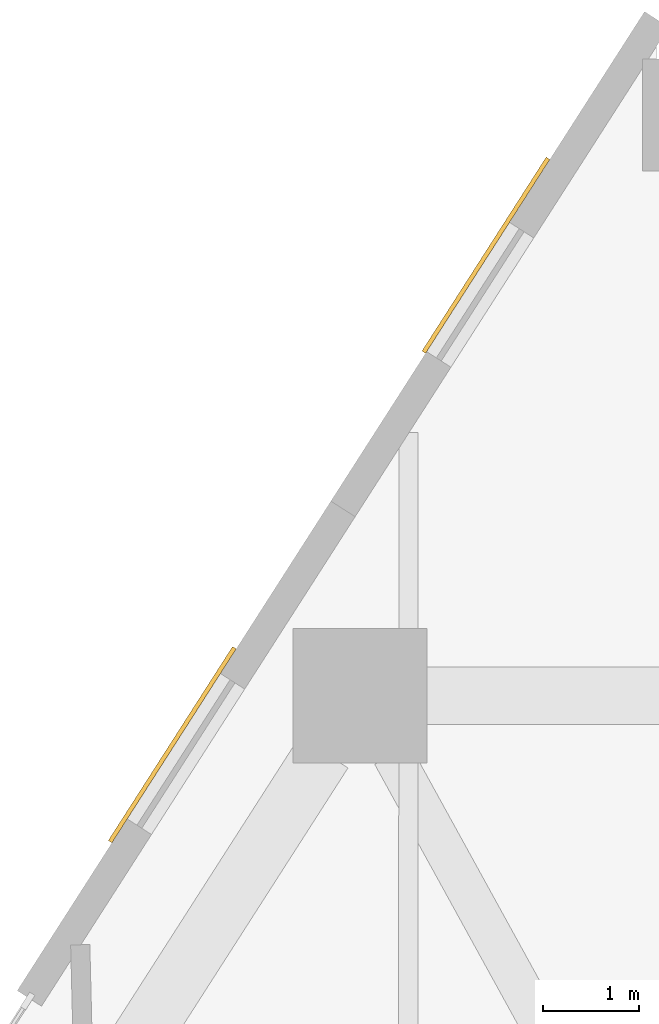
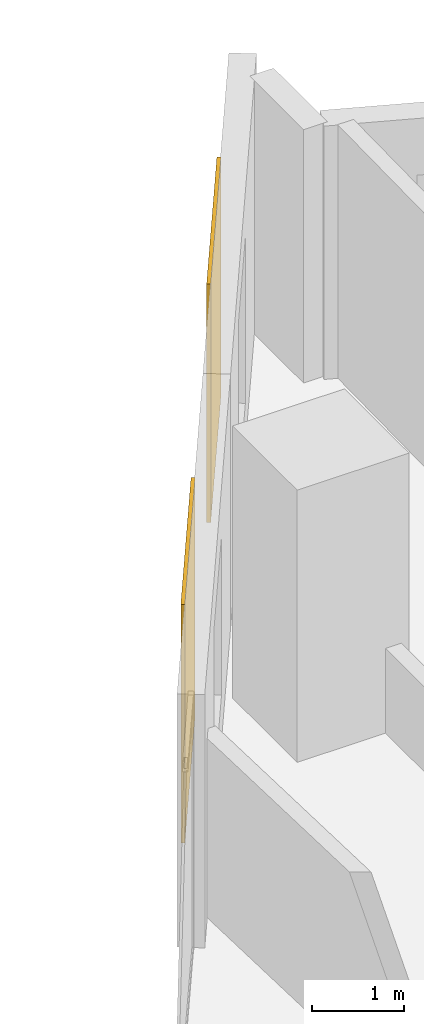
# One storey, part 13 of 13: 2 coverings.
"""IFC4 building model written with IfcOpenShell, lengths in metres."""

from ifc_helpers import new_model, si_unit, direction, frame, origin, origin_2d, place, context, subcontext, project, spatial, rectangle, extrude, material, layer, layer_set, type_object, element, save


model = new_model("IFC4")

# Units and contexts
model_context = context("Model", 3, precision=1e-05, world=origin(), true_north=direction((0.0, 1.0)))
body_context = subcontext(model_context, "Body", "Model", "MODEL_VIEW")
ifc_project = project(units=[si_unit("LENGTHUNIT", "METRE"), si_unit("AREAUNIT", "SQUARE_METRE"), si_unit("VOLUMEUNIT", "CUBIC_METRE"), si_unit("PLANEANGLEUNIT", "RADIAN"), si_unit("MASSUNIT", "GRAM", prefix="KILO")], contexts=[model_context])

# Site, building, storey
site_placement = place(None, origin())
site = spatial("IfcSite", under=ifc_project, at=site_placement, CompositionType="ELEMENT")
building_placement = place(site_placement, origin())
building = spatial("IfcBuilding", under=site, at=building_placement, Name="Almagre Mirador Tower", CompositionType="ELEMENT")
storey_placement = place(building_placement, frame((0.0, 0.0, 49.800048828125)))
storey = spatial("IfcBuildingStorey", under=building, at=storey_placement, Name="L11", CompositionType="ELEMENT", Elevation=49.800048828125)

# Coverings
ifc_material = material(Name="Almagre terracotta architectural cladding", Category="masonry")
ifc_layer = layer(ifc_material, 0.044921875)
ifc_layer_set = layer_set([ifc_layer], Name="Almagre terracotta architectural cladding")
covering_type = type_object("IfcCoveringType", Name="COV-CLAD-ALMAGRE", PredefinedType="CLADDING", material=ifc_layer_set)
for number, where, z_axis, x_axis, name in (
    (1, (28.145751953125, 38.863525390625, 0.10009765625), (0.0, 0.0, 1.0), (0.539520453445, 0.841972493799, 0.0), "L11 almagre terracotta pier cladding"),
    (2, (31.414306640625, 43.964599609375, 0.10009765625), (0.0, 0.0, 1.0), (0.539535148555, 0.841963077263, 0.0), "L11 almagre terracotta pier cladding"),
):
    element("IfcCovering", number, at=place(storey_placement, frame(where, z_axis=z_axis, x_axis=x_axis)), inside=storey, type_object=covering_type, Name=name, PredefinedType="CLADDING", context=body_context, shape_type="SweptSolid", body=[
        extrude(rectangle(XDim=2.39990234375, YDim=0.044921875, at=origin_2d()), origin(), (0.0, 0.0, 1.0), 3.14990234375),
    ])

save(model, "model.ifc")
